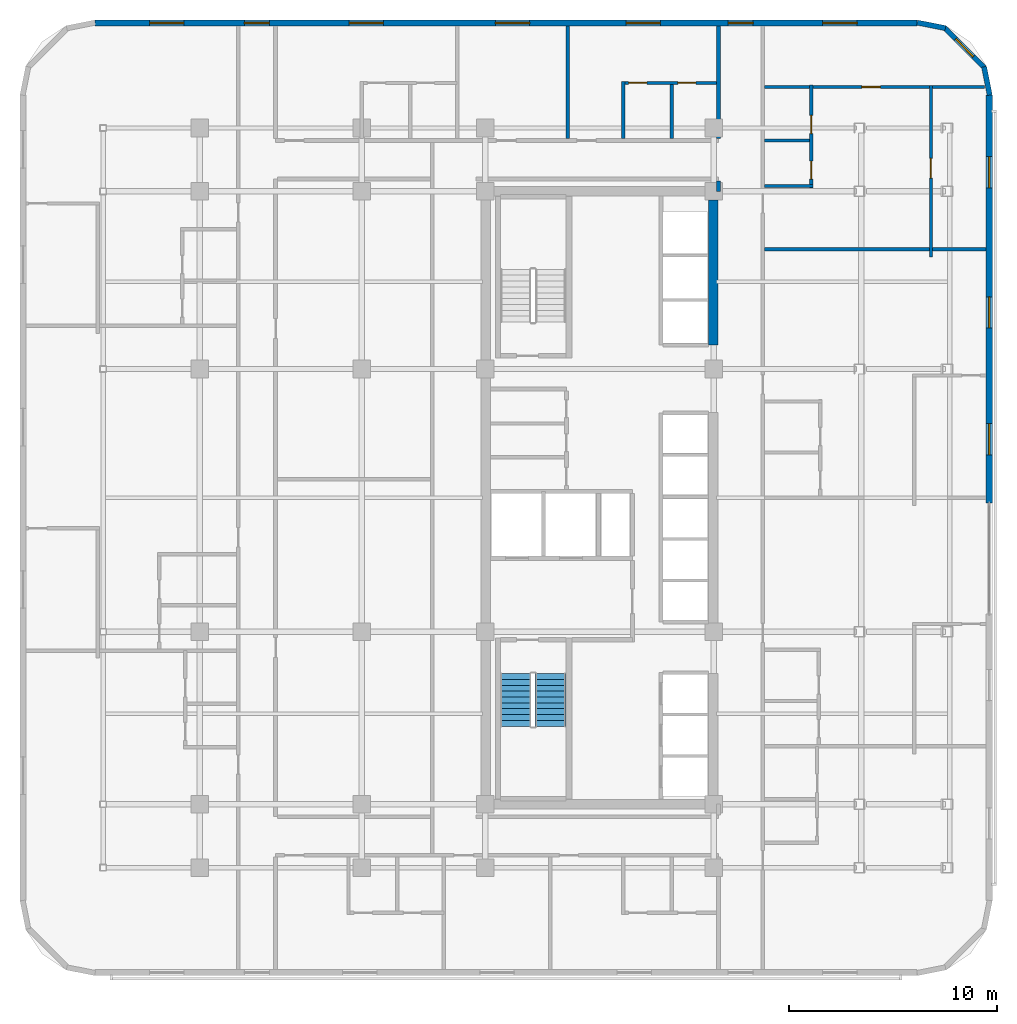
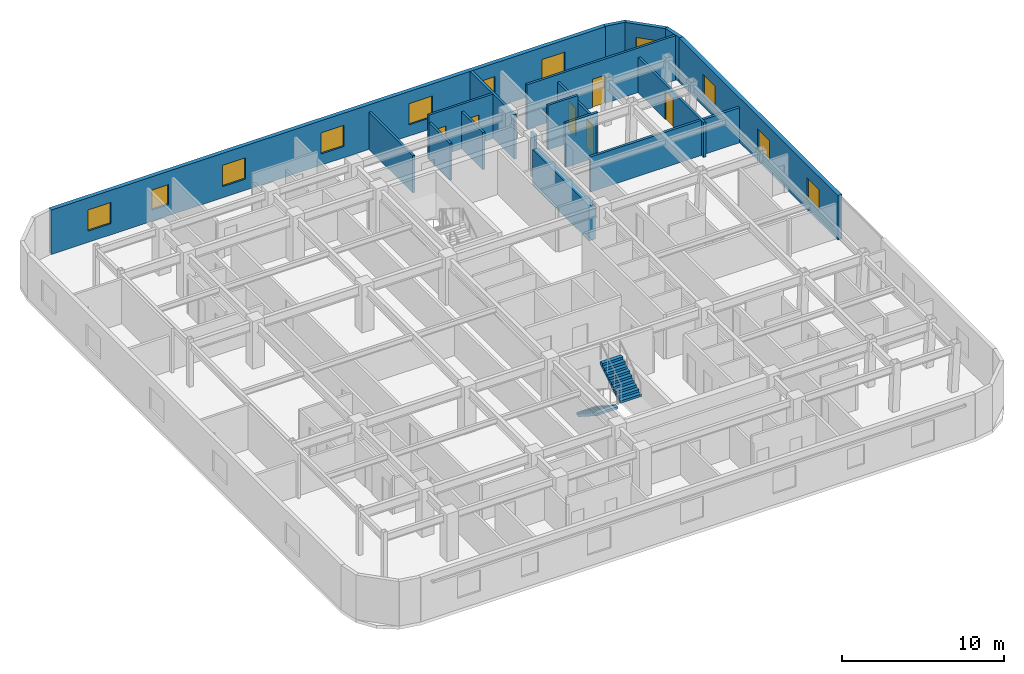
# One storey, part 11 of 15: 18 walls, 11 windows, 6 doors, 2 stair flights, 17 openings, 1 element without a shape of its own.
"""IFC4 building model written with IfcOpenShell, lengths in metres."""

from ifc_helpers import new_model, si_unit, direction, frame, frame_2d, origin, place, context, subcontext, project, spatial, polyline, rectangle, outline, extrude, material, layer, layer_set, type_object, element, fill, aggregate, save


model = new_model("IFC4")

# Units and contexts
model_context = context("Model", 3, precision=1e-05, world=origin(), true_north=direction((0.0, 1.0)))
body_context = subcontext(model_context, "Body", "Model", "MODEL_VIEW")
ifc_project = project(units=[si_unit("LENGTHUNIT", "METRE"), si_unit("AREAUNIT", "SQUARE_METRE"), si_unit("VOLUMEUNIT", "CUBIC_METRE"), si_unit("PLANEANGLEUNIT", "RADIAN"), si_unit("MASSUNIT", "GRAM", prefix="KILO")], contexts=[model_context])

# Site, building, storey
site_placement = place(None, origin())
site = spatial("IfcSite", under=ifc_project, at=site_placement, CompositionType="ELEMENT")
building_placement = place(site_placement, origin())
building = spatial("IfcBuilding", under=site, at=building_placement, Name="Ochreholt Gables", CompositionType="ELEMENT")
storey_placement = place(building_placement, frame((0.0, 0.0, 64.199951171875)))
storey = spatial("IfcBuildingStorey", under=building, at=storey_placement, Name="L16", CompositionType="ELEMENT", Elevation=64.199951171875)

# Wall
ifc_material_1 = material(Name="Concrete 60 MPa", Category="concrete")
ifc_layer_1 = layer(ifc_material_1, 0.449951171875, Name="Concrete 60 MPa")
ifc_layer_set_1 = layer_set([ifc_layer_1], Name="Concrete 60 MPa")
wall_type_1 = type_object("IfcWallType", Name="WALL-CSW-450", PredefinedType="SHEAR", material=ifc_layer_set_1)
wall_1_placement = place(storey_placement, frame((35.175048828125, 31.35009765625, 0.0), z_axis=(0.0, 0.0, 1.0), x_axis=(0.0, 1.0, 0.0)))
element("IfcWall", 1, at=wall_1_placement, inside=storey, type_object=wall_type_1, Name="L16 Core North-East Shear Wall", PredefinedType="SHEAR", context=body_context, shape_type="SweptSolid", body=[
    extrude(rectangle(XDim=6.974853515625, YDim=0.449951171875, at=frame_2d((3.4873046875, 0.0))), origin(), (0.0, 0.0, 1.0), 2.6669921875),
])

# Wall, openings, windows
ifc_material_2 = material(Name="Precast concrete 40 MPa", Category="concrete")
ifc_layer_2 = layer(ifc_material_2, 0.2900390625, Name="Precast concrete 40 MPa")
ifc_layer_set_2 = layer_set([ifc_layer_2], Name="Precast concrete 40 MPa")
wall_type_2 = type_object("IfcWallType", Name="WALL-EXT-290", PredefinedType="SOLIDWALL", material=ifc_layer_set_2)
wall_2_placement = place(storey_placement, frame((48.455078125, 23.75, 0.0), z_axis=(0.0, 0.0, 1.0), x_axis=(0.0, 1.0, 0.0)))
wall_2 = element("IfcWall", 2, at=wall_2_placement, inside=storey, type_object=wall_type_2, Name="L16 East Facade Wall 2", PredefinedType="SOLIDWALL", context=body_context, shape_type="SweptSolid", body=[
    extrude(rectangle(XDim=19.6298828125, YDim=0.2900390625, at=frame_2d((9.81494140625, 0.0))), origin(), (0.0, 0.0, 1.0), 3.360107421875),
])
opening_1_placement = place(wall_2_placement, frame((2.320068359375, 0.0, 0.85009765625)))
opening_1 = element("IfcOpeningElement", 3, at=opening_1_placement, cuts=wall_2, Name="Opening WN-2", PredefinedType="OPENING", context=body_context, shape_type="SweptSolid", body=[
    extrude(rectangle(XDim=1.5, YDim=1.550048828125, at=frame_2d((0.75, 0.77490234375))), frame((0.0, 0.155029296875, 0.0), z_axis=(0.0, -1.0, 0.0), x_axis=(1.0, 0.0, 0.0)), (0.0, 0.0, 1.0), 0.31005859375),
])
opening_2_placement = place(wall_2_placement, frame((8.425048828125, 0.0, 0.85009765625)))
opening_2 = element("IfcOpeningElement", 4, at=opening_2_placement, cuts=wall_2, Name="Opening WN-2", PredefinedType="OPENING", context=body_context, shape_type="SweptSolid", body=[
    extrude(rectangle(XDim=1.5, YDim=1.550048828125, at=frame_2d((0.75, 0.77490234375))), frame((0.0, 0.155029296875, 0.0), z_axis=(0.0, -1.0, 0.0), x_axis=(1.0, 0.0, 0.0)), (0.0, 0.0, 1.0), 0.31005859375),
])
opening_3_placement = place(wall_2_placement, frame((15.169921875, 0.0, 0.85009765625)))
opening_3 = element("IfcOpeningElement", 5, at=opening_3_placement, cuts=wall_2, Name="Opening WN-2", PredefinedType="OPENING", context=body_context, shape_type="SweptSolid", body=[
    extrude(rectangle(XDim=1.5, YDim=1.550048828125, at=frame_2d((0.75, 0.77490234375))), frame((0.0, 0.155029296875, 0.0), z_axis=(0.0, -1.0, 0.0), x_axis=(1.0, 0.0, 0.0)), (0.0, 0.0, 1.0), 0.31005859375),
])
ifc_material_3 = material(Name="Triple-Glazed Thermally Broken Aluminium Window", Category="aluminium")
window_type_1 = type_object("IfcWindowType", Name="WIN-RES-1500", PartitioningType="SINGLE_PANEL", PredefinedType="WINDOW", material=ifc_material_3)
window_1_placement = place(opening_1_placement, origin())
window_1 = element("IfcWindow", 6, at=window_1_placement, inside=storey, type_object=window_type_1, Name="L16 Window W-EXT-E2-L16-1", OverallHeight=1.550048828125, OverallWidth=1.5, PartitioningType="SINGLE_PANEL", PredefinedType="WINDOW", context=body_context, shape_type="SweptSolid", body=[
    extrude(rectangle(XDim=1.5, YDim=1.550048828125, at=frame_2d((0.75, 0.77490234375))), frame((0.0, 0.030029296875, 0.0), z_axis=(0.0, -1.0, 0.0), x_axis=(1.0, 0.0, 0.0)), (0.0, 0.0, 1.0), 0.06005859375),
])
fill(opening_1, window_1)
window_2_placement = place(opening_2_placement, origin())
window_2 = element("IfcWindow", 7, at=window_2_placement, inside=storey, type_object=window_type_1, Name="L16 Window W-EXT-E2-L16-2", OverallHeight=1.550048828125, OverallWidth=1.5, PartitioningType="SINGLE_PANEL", PredefinedType="WINDOW", context=body_context, shape_type="SweptSolid", body=[
    extrude(rectangle(XDim=1.5, YDim=1.550048828125, at=frame_2d((0.75, 0.77490234375))), frame((0.0, 0.030029296875, 0.0), z_axis=(0.0, -1.0, 0.0), x_axis=(1.0, 0.0, 0.0)), (0.0, 0.0, 1.0), 0.06005859375),
])
fill(opening_2, window_2)
window_3_placement = place(opening_3_placement, origin())
window_3 = element("IfcWindow", 8, at=window_3_placement, inside=storey, type_object=window_type_1, Name="L16 Window W-EXT-E2-L16-3", OverallHeight=1.550048828125, OverallWidth=1.5, PartitioningType="SINGLE_PANEL", PredefinedType="WINDOW", context=body_context, shape_type="SweptSolid", body=[
    extrude(rectangle(XDim=1.5, YDim=1.550048828125, at=frame_2d((0.75, 0.77490234375))), frame((0.0, 0.030029296875, 0.0), z_axis=(0.0, -1.0, 0.0), x_axis=(1.0, 0.0, 0.0)), (0.0, 0.0, 1.0), 0.06005859375),
])
fill(opening_3, window_3)

wall_3_placement = place(storey_placement, frame((44.97998046875, 46.85498046875, 0.0), z_axis=(0.0, 0.0, 1.0), x_axis=(-1.0, 0.0, 0.0)))
wall_3 = element("IfcWall", 9, at=wall_3_placement, inside=storey, type_object=wall_type_2, Name="L16 North Exterior Wall", PredefinedType="SOLIDWALL", context=body_context, shape_type="SweptSolid", body=[
    extrude(rectangle(XDim=39.56005859375, YDim=0.2900390625, at=frame_2d((19.780029296875, 0.0))), origin(), (0.0, 0.0, 1.0), 3.360107421875),
])
opening_4_placement = place(wall_3_placement, frame((35.294921875, 0.0, 0.85009765625)))
opening_4 = element("IfcOpeningElement", 10, at=opening_4_placement, cuts=wall_3, Name="Opening WN-7", PredefinedType="OPENING", context=body_context, shape_type="SweptSolid", body=[
    extrude(rectangle(XDim=1.64990234375, YDim=1.60009765625, at=frame_2d((0.824951171875, 0.800048828125))), frame((0.0, 0.155029296875, 0.0), z_axis=(0.0, -1.0, 0.0), x_axis=(1.0, 0.0, 0.0)), (0.0, 0.0, 1.0), 0.31005859375),
])
opening_5_placement = place(wall_3_placement, frame((31.179931640625, 0.0, 0.85009765625)))
opening_5 = element("IfcOpeningElement", 11, at=opening_5_placement, cuts=wall_3, Name="Opening WN-3", PredefinedType="OPENING", context=body_context, shape_type="SweptSolid", body=[
    extrude(rectangle(XDim=1.199951171875, YDim=1.5, at=frame_2d((0.60009765625, 0.75))), frame((0.0, 0.155029296875, 0.0), z_axis=(0.0, -1.0, 0.0), x_axis=(1.0, 0.0, 0.0)), (0.0, 0.0, 1.0), 0.31005859375),
])
opening_6_placement = place(wall_3_placement, frame((25.684326171875, 0.0, 0.85009765625)))
opening_6 = element("IfcOpeningElement", 12, at=opening_6_placement, cuts=wall_3, Name="Opening WN-7", PredefinedType="OPENING", context=body_context, shape_type="SweptSolid", body=[
    extrude(rectangle(XDim=1.64990234375, YDim=1.60009765625, at=frame_2d((0.824951171875, 0.800048828125))), frame((0.0, 0.155029296875, 0.0), z_axis=(0.0, -1.0, 0.0), x_axis=(1.0, 0.0, 0.0)), (0.0, 0.0, 1.0), 0.31005859375),
])
opening_7_placement = place(wall_3_placement, frame((18.648681640625, 0.0, 0.85009765625)))
opening_7 = element("IfcOpeningElement", 13, at=opening_7_placement, cuts=wall_3, Name="Opening WN-7", PredefinedType="OPENING", context=body_context, shape_type="SweptSolid", body=[
    extrude(rectangle(XDim=1.64990234375, YDim=1.60009765625, at=frame_2d((0.824951171875, 0.800048828125))), frame((0.0, 0.155029296875, 0.0), z_axis=(0.0, -1.0, 0.0), x_axis=(1.0, 0.0, 0.0)), (0.0, 0.0, 1.0), 0.31005859375),
])
opening_8_placement = place(wall_3_placement, frame((12.359375, 0.0, 0.85009765625)))
opening_8 = element("IfcOpeningElement", 14, at=opening_8_placement, cuts=wall_3, Name="Opening WN-7", PredefinedType="OPENING", context=body_context, shape_type="SweptSolid", body=[
    extrude(rectangle(XDim=1.64990234375, YDim=1.60009765625, at=frame_2d((0.824951171875, 0.800048828125))), frame((0.0, 0.155029296875, 0.0), z_axis=(0.0, -1.0, 0.0), x_axis=(1.0, 0.0, 0.0)), (0.0, 0.0, 1.0), 0.31005859375),
])
opening_9_placement = place(wall_3_placement, frame((7.89501953125, 0.0, 0.85009765625)))
opening_9 = element("IfcOpeningElement", 15, at=opening_9_placement, cuts=wall_3, Name="Opening WN-3", PredefinedType="OPENING", context=body_context, shape_type="SweptSolid", body=[
    extrude(rectangle(XDim=1.199951171875, YDim=1.5, at=frame_2d((0.60009765625, 0.75))), frame((0.0, 0.155029296875, 0.0), z_axis=(0.0, -1.0, 0.0), x_axis=(1.0, 0.0, 0.0)), (0.0, 0.0, 1.0), 0.31005859375),
])
opening_10_placement = place(wall_3_placement, frame((2.889892578125, 0.0, 0.85009765625)))
opening_10 = element("IfcOpeningElement", 16, at=opening_10_placement, cuts=wall_3, Name="Opening WN-7", PredefinedType="OPENING", context=body_context, shape_type="SweptSolid", body=[
    extrude(rectangle(XDim=1.64990234375, YDim=1.60009765625, at=frame_2d((0.824951171875, 0.800048828125))), frame((0.0, 0.155029296875, 0.0), z_axis=(0.0, -1.0, 0.0), x_axis=(1.0, 0.0, 0.0)), (0.0, 0.0, 1.0), 0.31005859375),
])
window_type_2 = type_object("IfcWindowType", Name="WIN-RES-1200", PartitioningType="SINGLE_PANEL", PredefinedType="WINDOW", material=ifc_material_3)
window_4_placement = place(opening_5_placement, origin())
window_4 = element("IfcWindow", 17, at=window_4_placement, inside=storey, type_object=window_type_2, Name="L16 Window W-EXT-N-L16-2", OverallHeight=1.5, OverallWidth=1.199951171875, PartitioningType="SINGLE_PANEL", PredefinedType="WINDOW", context=body_context, shape_type="SweptSolid", body=[
    extrude(rectangle(XDim=1.199951171875, YDim=1.5, at=frame_2d((0.60009765625, 0.75))), frame((0.0, 0.030029296875, 0.0), z_axis=(0.0, -1.0, 0.0), x_axis=(1.0, 0.0, 0.0)), (0.0, 0.0, 1.0), 0.06005859375),
])
fill(opening_5, window_4)
window_5_placement = place(opening_9_placement, origin())
window_5 = element("IfcWindow", 18, at=window_5_placement, inside=storey, type_object=window_type_2, Name="L16 Window W-EXT-N-L16-6", OverallHeight=1.5, OverallWidth=1.199951171875, PartitioningType="SINGLE_PANEL", PredefinedType="WINDOW", context=body_context, shape_type="SweptSolid", body=[
    extrude(rectangle(XDim=1.199951171875, YDim=1.5, at=frame_2d((0.60009765625, 0.75))), frame((0.0, 0.030029296875, 0.0), z_axis=(0.0, -1.0, 0.0), x_axis=(1.0, 0.0, 0.0)), (0.0, 0.0, 1.0), 0.06005859375),
])
fill(opening_9, window_5)
window_type_3 = type_object("IfcWindowType", Name="WIN-RES-1650", PartitioningType="SINGLE_PANEL", PredefinedType="WINDOW", material=ifc_material_3)
window_6_placement = place(opening_4_placement, origin())
window_6 = element("IfcWindow", 19, at=window_6_placement, inside=storey, type_object=window_type_3, Name="L16 Window W-EXT-N-L16-1", OverallHeight=1.60009765625, OverallWidth=1.64990234375, PartitioningType="SINGLE_PANEL", PredefinedType="WINDOW", context=body_context, shape_type="SweptSolid", body=[
    extrude(rectangle(XDim=1.64990234375, YDim=1.60009765625, at=frame_2d((0.824951171875, 0.800048828125))), frame((0.0, 0.030029296875, 0.0), z_axis=(0.0, -1.0, 0.0), x_axis=(1.0, 0.0, 0.0)), (0.0, 0.0, 1.0), 0.06005859375),
])
fill(opening_4, window_6)
window_7_placement = place(opening_6_placement, origin())
window_7 = element("IfcWindow", 20, at=window_7_placement, inside=storey, type_object=window_type_3, Name="L16 Window W-EXT-N-L16-3", OverallHeight=1.60009765625, OverallWidth=1.64990234375, PartitioningType="SINGLE_PANEL", PredefinedType="WINDOW", context=body_context, shape_type="SweptSolid", body=[
    extrude(rectangle(XDim=1.64990234375, YDim=1.60009765625, at=frame_2d((0.824951171875, 0.800048828125))), frame((0.0, 0.030029296875, 0.0), z_axis=(0.0, -1.0, 0.0), x_axis=(1.0, 0.0, 0.0)), (0.0, 0.0, 1.0), 0.06005859375),
])
fill(opening_6, window_7)
window_8_placement = place(opening_7_placement, origin())
window_8 = element("IfcWindow", 21, at=window_8_placement, inside=storey, type_object=window_type_3, Name="L16 Window W-EXT-N-L16-4", OverallHeight=1.60009765625, OverallWidth=1.64990234375, PartitioningType="SINGLE_PANEL", PredefinedType="WINDOW", context=body_context, shape_type="SweptSolid", body=[
    extrude(rectangle(XDim=1.64990234375, YDim=1.60009765625, at=frame_2d((0.824951171875, 0.800048828125))), frame((0.0, 0.030029296875, 0.0), z_axis=(0.0, -1.0, 0.0), x_axis=(1.0, 0.0, 0.0)), (0.0, 0.0, 1.0), 0.06005859375),
])
fill(opening_7, window_8)
window_9_placement = place(opening_8_placement, origin())
window_9 = element("IfcWindow", 22, at=window_9_placement, inside=storey, type_object=window_type_3, Name="L16 Window W-EXT-N-L16-5", OverallHeight=1.60009765625, OverallWidth=1.64990234375, PartitioningType="SINGLE_PANEL", PredefinedType="WINDOW", context=body_context, shape_type="SweptSolid", body=[
    extrude(rectangle(XDim=1.64990234375, YDim=1.60009765625, at=frame_2d((0.824951171875, 0.800048828125))), frame((0.0, 0.030029296875, 0.0), z_axis=(0.0, -1.0, 0.0), x_axis=(1.0, 0.0, 0.0)), (0.0, 0.0, 1.0), 0.06005859375),
])
fill(opening_8, window_9)
window_10_placement = place(opening_10_placement, origin())
window_10 = element("IfcWindow", 23, at=window_10_placement, inside=storey, type_object=window_type_3, Name="L16 Window W-EXT-N-L16-7", OverallHeight=1.60009765625, OverallWidth=1.64990234375, PartitioningType="SINGLE_PANEL", PredefinedType="WINDOW", context=body_context, shape_type="SweptSolid", body=[
    extrude(rectangle(XDim=1.64990234375, YDim=1.60009765625, at=frame_2d((0.824951171875, 0.800048828125))), frame((0.0, 0.030029296875, 0.0), z_axis=(0.0, -1.0, 0.0), x_axis=(1.0, 0.0, 0.0)), (0.0, 0.0, 1.0), 0.06005859375),
])
fill(opening_10, window_10)

# Wall
ifc_layer_3 = layer(ifc_material_2, 0.25, Name="Precast concrete 40 MPa")
ifc_layer_set_3 = layer_set([ifc_layer_3], Name="Precast concrete 40 MPa")
wall_type_3 = type_object("IfcWallType", Name="WALL-EXT-CNR", PredefinedType="SOLIDWALL", material=ifc_layer_set_3)
wall_4_placement = place(storey_placement, frame((48.475830078125, 43.383544921875, 0.0), z_axis=(0.0, 0.0, 1.0), x_axis=(-0.19496651342, 0.980809899341, 0.0)))
element("IfcWall", 24, at=wall_4_placement, inside=storey, type_object=wall_type_3, Name="L16 Rounded Corner Wall NE-1", PredefinedType="SOLIDWALL", context=body_context, shape_type="SweptSolid", body=[
    extrude(rectangle(XDim=1.388671875, YDim=0.25, at=frame_2d((0.6943359375, 0.0))), origin(), (0.0, 0.0, 1.0), 3.360107421875),
])

# Wall, opening, window
wall_5_placement = place(storey_placement, frame((48.23193359375, 44.695068359375, 0.0), z_axis=(0.0, 0.0, 1.0), x_axis=(-0.707106781187, 0.707106781187, 0.0)))
wall_5 = element("IfcWall", 25, at=wall_5_placement, inside=storey, type_object=wall_type_3, Name="L16 Rounded Corner Wall NE-2", PredefinedType="SOLIDWALL", context=body_context, shape_type="SweptSolid", body=[
    extrude(rectangle(XDim=2.7392578125, YDim=0.25, at=frame_2d((1.36962890625, 0.0))), origin(), (0.0, 0.0, 1.0), 3.360107421875),
])
opening_11_placement = place(wall_5_placement, frame((0.769775390625, 0.0, 0.85009765625)))
opening_11 = element("IfcOpeningElement", 26, at=opening_11_placement, cuts=wall_5, Name="Opening WN-3", PredefinedType="OPENING", context=body_context, shape_type="SweptSolid", body=[
    extrude(rectangle(XDim=1.199951171875, YDim=1.5, at=frame_2d((0.60009765625, 0.75))), frame((0.0, 0.135009765625, 0.0), z_axis=(0.0, -1.0, 0.0), x_axis=(1.0, 0.0, 0.0)), (0.0, 0.0, 1.0), 0.27001953125),
])
window_11_placement = place(opening_11_placement, origin())
window_11 = element("IfcWindow", 27, at=window_11_placement, inside=storey, type_object=window_type_2, Name="L16 Corner Bedroom Window NE", OverallHeight=1.5, OverallWidth=1.199951171875, PartitioningType="SINGLE_PANEL", PredefinedType="WINDOW", context=body_context, shape_type="SweptSolid", body=[
    extrude(rectangle(XDim=1.199951171875, YDim=1.5, at=frame_2d((0.60009765625, 0.75))), frame((0.0, 0.030029296875, 0.0), z_axis=(0.0, -1.0, 0.0), x_axis=(1.0, 0.0, 0.0)), (0.0, 0.0, 1.0), 0.06005859375),
])
fill(opening_11, window_11)

# Walls
wall_6_placement = place(storey_placement, frame((46.345458984375, 46.60498046875, 0.0), z_axis=(0.0, 0.0, 1.0), x_axis=(-0.980809899341, 0.19496651342, 0.0)))
element("IfcWall", 28, at=wall_6_placement, inside=storey, type_object=wall_type_3, Name="L16 Rounded Corner Wall NE-3", PredefinedType="SOLIDWALL", context=body_context, shape_type="SweptSolid", body=[
    extrude(rectangle(XDim=1.388671875, YDim=0.25, at=frame_2d((0.6943359375, 0.0))), origin(), (0.0, 0.0, 1.0), 3.360107421875),
])
ifc_material_4 = material(Name="Fire-Rated Gypsum Acoustic Partition", Category="gypsum")
ifc_layer_4 = layer(ifc_material_4, 0.179931640625, Name="Fire-Rated Gypsum Acoustic Partition")
ifc_layer_set_4 = layer_set([ifc_layer_4], Name="Fire-Rated Gypsum Acoustic Partition")
wall_type_4 = type_object("IfcWallType", Name="WALL-INT-CR180", PredefinedType="STANDARD", material=ifc_layer_set_4)
wall_7_placement = place(storey_placement, frame((35.419921875, 38.75, 0.0), z_axis=(0.0, 0.0, 1.0), x_axis=(0.0, 1.0, 0.0)))
element("IfcWall", 29, at=wall_7_placement, inside=storey, type_object=wall_type_4, Name="L16 Interior Wall WI-C1ENW2-L16", PredefinedType="STANDARD", context=body_context, shape_type="SweptSolid", body=[
    extrude(rectangle(XDim=0.510009765625, YDim=0.179931640625, at=frame_2d((0.2548828125, 0.0))), origin(), (0.0, 0.0, 1.0), 3.360107421875),
])
ifc_material_5 = material(Name="Double-Stud Acoustic Demising Wall", Category="gypsum")
ifc_layer_5 = layer(ifc_material_5, 0.179931640625, Name="Double-Stud Acoustic Demising Wall")
ifc_layer_set_5 = layer_set([ifc_layer_5], Name="Double-Stud Acoustic Demising Wall")
wall_type_5 = type_object("IfcWallType", Name="WALL-INT-DM180", PredefinedType="PARTITIONING", material=ifc_layer_set_5)
wall_8_placement = place(storey_placement, frame((35.419921875, 41.2900390625, 0.0), z_axis=(0.0, 0.0, 1.0), x_axis=(0.0, 1.0, 0.0)))
element("IfcWall", 30, at=wall_8_placement, inside=storey, type_object=wall_type_5, Name="L16 Interior Wall WI-C1ENW-L16", PredefinedType="PARTITIONING", context=body_context, shape_type="SweptSolid", body=[
    extrude(rectangle(XDim=5.419921875, YDim=0.179931640625, at=frame_2d((2.7099609375, 0.0))), origin(), (0.0, 0.0, 1.0), 3.360107421875),
])
wall_9_placement = place(storey_placement, frame((37.639892578125, 35.9599609375, 0.0), z_axis=(0.0, 0.0, 1.0), x_axis=(1.0, 0.0, 0.0)))
element("IfcWall", 31, at=wall_9_placement, inside=storey, type_object=wall_type_5, Name="L16 Interior Wall WI-UDE4-L16", PredefinedType="PARTITIONING", context=body_context, shape_type="SweptSolid", body=[
    extrude(rectangle(XDim=10.670166015625, YDim=0.179931640625, at=frame_2d((5.3349609375, 0.0))), origin(), (0.0, 0.0, 1.0), 2.649169921875),
])
ifc_material_6 = material(Name="Moisture-Resistant Plumbing Chase Wall", Category="gypsum")
ifc_layer_6 = layer(ifc_material_6, 0.159912109375, Name="Moisture-Resistant Plumbing Chase Wall")
ifc_layer_set_6 = layer_set([ifc_layer_6], Name="Moisture-Resistant Plumbing Chase Wall")
wall_type_6 = type_object("IfcWallType", Name="WALL-INT-PL160", PredefinedType="PLUMBINGWALL", material=ifc_layer_set_6)
wall_10_placement = place(storey_placement, frame((37.639892578125, 39.01171875, 0.0), z_axis=(0.0, 0.0, 1.0), x_axis=(1.0, 0.0, 0.0)))
element("IfcWall", 32, at=wall_10_placement, inside=storey, type_object=wall_type_6, Name="L16 Interior Wall WU-L16E4-FYS", PredefinedType="PLUMBINGWALL", context=body_context, shape_type="SweptSolid", body=[
    extrude(rectangle(XDim=2.330078125, YDim=0.159912109375, at=frame_2d((1.1650390625, 0.0))), origin(), (0.0, 0.0, 1.0), 3.360107421875),
])

# Wall, openings, doors
wall_11_placement = place(storey_placement, frame((39.889892578125, 38.921630859375, 0.0), z_axis=(0.0, 0.0, 1.0), x_axis=(0.0, 1.0, 0.0)))
wall_11 = element("IfcWall", 33, at=wall_11_placement, inside=storey, type_object=wall_type_6, Name="L16 Interior Wall WU-L16E4-WX", PredefinedType="PLUMBINGWALL", context=body_context, shape_type="SweptSolid", body=[
    extrude(rectangle(XDim=4.944091796875, YDim=0.159912109375, at=frame_2d((2.47216796875, 0.0))), origin(), (0.0, 0.0, 1.0), 2.80908203125),
])
opening_12_placement = place(wall_11_placement, frame((0.419921875, 0.0, 0.0)))
opening_12 = element("IfcOpeningElement", 34, at=opening_12_placement, cuts=wall_11, Name="Opening D-BT1", PredefinedType="OPENING", context=body_context, shape_type="SweptSolid", body=[
    extrude(rectangle(XDim=0.860107421875, YDim=2.1201171875, at=frame_2d((0.43017578125, 1.06005859375))), frame((0.0, 0.08984375, 0.0), z_axis=(0.0, -1.0, 0.0), x_axis=(1.0, 0.0, 0.0)), (0.0, 0.0, 1.0), 0.179931640625),
])
opening_13_placement = place(wall_11_placement, frame((2.611328125, 0.0, 0.0)))
opening_13 = element("IfcOpeningElement", 35, at=opening_13_placement, cuts=wall_11, Name="Opening D-GN2", PredefinedType="OPENING", context=body_context, shape_type="SweptSolid", body=[
    extrude(rectangle(XDim=0.8798828125, YDim=2.1201171875, at=frame_2d((0.43994140625, 1.06005859375))), frame((0.0, 0.08984375, 0.0), z_axis=(0.0, -1.0, 0.0), x_axis=(1.0, 0.0, 0.0)), (0.0, 0.0, 1.0), 0.179931640625),
])
ifc_material_7 = material(Name="Engineered Oak Timber", Category="wood")
door_type_1 = type_object("IfcDoorType", Name="DR-INT-BTH860", OperationType="NOTDEFINED", PredefinedType="DOOR", material=ifc_material_7)
door_1_placement = place(opening_12_placement, origin())
door_1 = element("IfcDoor", 36, at=door_1_placement, inside=storey, type_object=door_type_1, Name="L16 Door D-U-L16E4-BTH", OperationType="SINGLE_SWING_RIGHT", OverallHeight=2.1201171875, OverallWidth=0.860107421875, PredefinedType="DOOR", context=body_context, shape_type="SweptSolid", body=[
    extrude(rectangle(XDim=0.860107421875, YDim=2.1201171875, at=frame_2d((0.43017578125, 1.06005859375))), frame((0.0, 0.02490234375, 0.0), z_axis=(0.0, -1.0, 0.0), x_axis=(1.0, 0.0, 0.0)), (0.0, 0.0, 1.0), 0.050048828125),
])
fill(opening_12, door_1)
door_type_2 = type_object("IfcDoorType", Name="DR-INT-GEN880", OperationType="NOTDEFINED", PredefinedType="DOOR", material=ifc_material_7)
door_2_placement = place(opening_13_placement, origin())
door_2 = element("IfcDoor", 37, at=door_2_placement, inside=storey, type_object=door_type_2, Name="L16 Door D-U-L16E4-KIT", OperationType="SINGLE_SWING_LEFT", OverallHeight=2.1201171875, OverallWidth=0.8798828125, PredefinedType="DOOR", context=body_context, shape_type="SweptSolid", body=[
    extrude(rectangle(XDim=0.8798828125, YDim=2.1201171875, at=frame_2d((0.43994140625, 1.06005859375))), frame((0.0, 0.02490234375, 0.0), z_axis=(0.0, -1.0, 0.0), x_axis=(1.0, 0.0, 0.0)), (0.0, 0.0, 1.0), 0.050048828125),
])
fill(opening_13, door_2)

# Wall
wall_12_placement = place(storey_placement, frame((37.639892578125, 41.203125, 0.0), z_axis=(0.0, 0.0, 1.0), x_axis=(1.0, 0.0, 0.0)))
element("IfcWall", 38, at=wall_12_placement, inside=storey, type_object=wall_type_6, Name="L16 Interior Wall WU-L16E4-WK", PredefinedType="PLUMBINGWALL", context=body_context, shape_type="SweptSolid", body=[
    extrude(rectangle(XDim=2.170166015625, YDim=0.159912109375, at=frame_2d((1.0849609375, 0.0))), origin(), (0.0, 0.0, 1.0), 3.360107421875),
])

# Wall, openings, doors
wall_13_placement = place(storey_placement, frame((30.75, 43.969970703125, 0.0), z_axis=(0.0, 0.0, 1.0), x_axis=(1.0, 0.0, 0.0)))
wall_13 = element("IfcWall", 39, at=wall_13_placement, inside=storey, type_object=wall_type_6, Name="L16 Interior Wall WU-L16N3-WY", PredefinedType="PLUMBINGWALL", context=body_context, shape_type="SweptSolid", body=[
    extrude(rectangle(XDim=4.580078125, YDim=0.159912109375, at=frame_2d((2.2900390625, 0.0))), origin(), (0.0, 0.0, 1.0), 3.360107421875),
])
opening_14_placement = place(wall_13_placement, frame((0.35009765625, 0.0, 0.0)))
opening_14 = element("IfcOpeningElement", 40, at=opening_14_placement, cuts=wall_13, Name="Opening D-GN2", PredefinedType="OPENING", context=body_context, shape_type="SweptSolid", body=[
    extrude(rectangle(XDim=0.8798828125, YDim=2.1201171875, at=frame_2d((0.43994140625, 1.06005859375))), frame((0.0, 0.08984375, 0.0), z_axis=(0.0, -1.0, 0.0), x_axis=(1.0, 0.0, 0.0)), (0.0, 0.0, 1.0), 0.179931640625),
])
opening_15_placement = place(wall_13_placement, frame((2.719970703125, 0.0, 0.0)))
opening_15 = element("IfcOpeningElement", 41, at=opening_15_placement, cuts=wall_13, Name="Opening D-BT1", PredefinedType="OPENING", context=body_context, shape_type="SweptSolid", body=[
    extrude(rectangle(XDim=0.860107421875, YDim=2.1201171875, at=frame_2d((0.43017578125, 1.06005859375))), frame((0.0, 0.08984375, 0.0), z_axis=(0.0, -1.0, 0.0), x_axis=(1.0, 0.0, 0.0)), (0.0, 0.0, 1.0), 0.179931640625),
])
door_3_placement = place(opening_15_placement, origin())
door_3 = element("IfcDoor", 42, at=door_3_placement, inside=storey, type_object=door_type_1, Name="L16 Door D-U-L16N3-BTH", OperationType="SINGLE_SWING_RIGHT", OverallHeight=2.1201171875, OverallWidth=0.860107421875, PredefinedType="DOOR", context=body_context, shape_type="SweptSolid", body=[
    extrude(rectangle(XDim=0.860107421875, YDim=2.1201171875, at=frame_2d((0.43017578125, 1.06005859375))), frame((0.0, 0.02490234375, 0.0), z_axis=(0.0, -1.0, 0.0), x_axis=(1.0, 0.0, 0.0)), (0.0, 0.0, 1.0), 0.050048828125),
])
fill(opening_15, door_3)
door_4_placement = place(opening_14_placement, origin())
door_4 = element("IfcDoor", 43, at=door_4_placement, inside=storey, type_object=door_type_2, Name="L16 Door D-U-L16N3-KIT", OperationType="SINGLE_SWING_LEFT", OverallHeight=2.1201171875, OverallWidth=0.8798828125, PredefinedType="DOOR", context=body_context, shape_type="SweptSolid", body=[
    extrude(rectangle(XDim=0.8798828125, YDim=2.1201171875, at=frame_2d((0.43994140625, 1.06005859375))), frame((0.0, 0.02490234375, 0.0), z_axis=(0.0, -1.0, 0.0), x_axis=(1.0, 0.0, 0.0)), (0.0, 0.0, 1.0), 0.050048828125),
])
fill(opening_14, door_4)

# Walls
wall_14_placement = place(storey_placement, frame((30.830078125, 41.2900390625, 0.0), z_axis=(0.0, 0.0, 1.0), x_axis=(0.0, 1.0, 0.0)))
element("IfcWall", 44, at=wall_14_placement, inside=storey, type_object=wall_type_6, Name="L16 Interior Wall WU-L16N3-FY", PredefinedType="PLUMBINGWALL", context=body_context, shape_type="SweptSolid", body=[
    extrude(rectangle(XDim=2.760009765625, YDim=0.159912109375, at=frame_2d((1.3798828125, 0.0))), origin(), (0.0, 0.0, 1.0), 2.80908203125),
])
wall_15_placement = place(storey_placement, frame((33.169921875, 41.2900390625, 0.0), z_axis=(0.0, 0.0, 1.0), x_axis=(0.0, 1.0, 0.0)))
element("IfcWall", 45, at=wall_15_placement, inside=storey, type_object=wall_type_6, Name="L16 Interior Wall WU-L16N3-WK", PredefinedType="PLUMBINGWALL", context=body_context, shape_type="SweptSolid", body=[
    extrude(rectangle(XDim=2.599853515625, YDim=0.159912109375, at=frame_2d((1.2998046875, 0.0))), origin(), (0.0, 0.0, 1.0), 2.80908203125),
])

# Wall, opening, door
ifc_material_8 = material(Name="Gypsum Acoustic Stud Partition", Category="gypsum")
ifc_layer_7 = layer(ifc_material_8, 0.159912109375, Name="Gypsum Acoustic Stud Partition")
ifc_layer_set_7 = layer_set([ifc_layer_7], Name="Gypsum Acoustic Stud Partition")
wall_type_7 = type_object("IfcWallType", Name="WALL-INT-PT160", PredefinedType="PARTITIONING", material=ifc_layer_set_7)
wall_16_placement = place(storey_placement, frame((37.639892578125, 43.775634765625, 0.0), z_axis=(0.0, 0.0, 1.0), x_axis=(1.0, 0.0, 0.0)))
wall_16 = element("IfcWall", 46, at=wall_16_placement, inside=storey, type_object=wall_type_7, Name="L16 Interior Wall WU-L16E4-MN", PredefinedType="PARTITIONING", context=body_context, shape_type="SweptSolid", body=[
    extrude(rectangle(XDim=10.5947265625, YDim=0.159912109375, at=frame_2d((5.29736328125, 0.0))), origin(), (0.0, 0.0, 1.0), 3.360107421875),
])
opening_16_placement = place(wall_16_placement, frame((4.679931640625, 0.0, 0.0)))
opening_16 = element("IfcOpeningElement", 47, at=opening_16_placement, cuts=wall_16, Name="Opening D-BD1", PredefinedType="OPENING", context=body_context, shape_type="SweptSolid", body=[
    extrude(rectangle(XDim=0.89990234375, YDim=2.139892578125, at=frame_2d((0.449951171875, 1.06982421875))), frame((0.0, 0.08984375, 0.0), z_axis=(0.0, -1.0, 0.0), x_axis=(1.0, 0.0, 0.0)), (0.0, 0.0, 1.0), 0.179931640625),
])
door_type_3 = type_object("IfcDoorType", Name="DR-INT-BED900", OperationType="NOTDEFINED", PredefinedType="DOOR", material=ifc_material_7)
door_5_placement = place(opening_16_placement, origin())
door_5 = element("IfcDoor", 48, at=door_5_placement, inside=storey, type_object=door_type_3, Name="L16 Door D-U-L16E4-BD1", OperationType="SINGLE_SWING_RIGHT", OverallHeight=2.139892578125, OverallWidth=0.89990234375, PredefinedType="DOOR", context=body_context, shape_type="SweptSolid", body=[
    extrude(rectangle(XDim=0.89990234375, YDim=2.139892578125, at=frame_2d((0.449951171875, 1.06982421875))), frame((0.0, 0.02490234375, 0.0), z_axis=(0.0, -1.0, 0.0), x_axis=(1.0, 0.0, 0.0)), (0.0, 0.0, 1.0), 0.050048828125),
])
fill(opening_16, door_5)

wall_17_placement = place(storey_placement, frame((45.64990234375, 35.60009765625, 0.0), z_axis=(0.0, 0.0, 1.0), x_axis=(0.0, 1.0, 0.0)))
wall_17 = element("IfcWall", 49, at=wall_17_placement, inside=storey, type_object=wall_type_7, Name="L16 Interior Wall WU-L16E4-DNV", PredefinedType="PARTITIONING", context=body_context, shape_type="SweptSolid", body=[
    extrude(rectangle(XDim=8.255615234375, YDim=0.159912109375, at=frame_2d((4.1279296875, 0.0))), origin(), (0.0, 0.0, 1.0), 2.649169921875),
])
opening_17_placement = place(wall_17_placement, frame((3.787841796875, 0.0, 0.0)))
opening_17 = element("IfcOpeningElement", 50, at=opening_17_placement, cuts=wall_17, Name="Opening D-GN1", PredefinedType="OPENING", context=body_context, shape_type="SweptSolid", body=[
    extrude(rectangle(XDim=0.949951171875, YDim=2.14990234375, at=frame_2d((0.47509765625, 1.074951171875))), frame((0.0, 0.08984375, 0.0), z_axis=(0.0, -1.0, 0.0), x_axis=(1.0, 0.0, 0.0)), (0.0, 0.0, 1.0), 0.179931640625),
])
door_type_4 = type_object("IfcDoorType", Name="DR-INT-GEN950", OperationType="NOTDEFINED", PredefinedType="DOOR", material=ifc_material_7)
door_6_placement = place(opening_17_placement, origin())
door_6 = element("IfcDoor", 51, at=door_6_placement, inside=storey, type_object=door_type_4, Name="L16 Door D-U-L16E4-DIN", OperationType="SINGLE_SWING_RIGHT", OverallHeight=2.14990234375, OverallWidth=0.949951171875, PredefinedType="DOOR", context=body_context, shape_type="SweptSolid", body=[
    extrude(rectangle(XDim=0.949951171875, YDim=2.14990234375, at=frame_2d((0.47509765625, 1.074951171875))), frame((0.0, 0.02490234375, 0.0), z_axis=(0.0, -1.0, 0.0), x_axis=(1.0, 0.0, 0.0)), (0.0, 0.0, 1.0), 0.050048828125),
])
fill(opening_17, door_6)

# Wall
wall_18_placement = place(storey_placement, frame((28.171142578125, 41.2900390625, 0.0), z_axis=(0.0, 0.0, 1.0), x_axis=(0.0, 1.0, 0.0)))
element("IfcWall", 52, at=wall_18_placement, inside=storey, type_object=wall_type_7, Name="L16 Interior Wall WI-UDN3-L16", PredefinedType="PARTITIONING", context=body_context, shape_type="SweptSolid", body=[
    extrude(rectangle(XDim=5.419921875, YDim=0.159912109375, at=frame_2d((2.7099609375, 0.0))), origin(), (0.0, 0.0, 1.0), 2.80908203125),
])

# Stair, stair flights
ifc_material_9 = material(Name="Concrete 40 MPa", Category="concrete")
stair_type = type_object("IfcStairType", Name="STAIR-CORE-ST-1", PredefinedType="HALF_TURN_STAIR", material=ifc_material_9)
stair_placement = place(storey_placement, origin())
stair = element("IfcStair", 53, at=stair_placement, inside=storey, type_object=stair_type, Name="L16 Core Exit Stair 1", PredefinedType="HALF_TURN_STAIR")
stair_flight_type = type_object("IfcStairFlightType", Name="FLIGHT-ST-1480-1800", PredefinedType="STRAIGHT", material=ifc_material_9)
stair_flight_1_placement = place(storey_placement, frame((25.659912109375, 15.5400390625, 0.0), z_axis=(0.0, 0.0, 1.0), x_axis=(0.0, -1.0, 0.0)))
stair_flight_1 = element("IfcStairFlight", 54, at=stair_flight_1_placement, type_object=stair_flight_type, Name="ST-1 flight 1", NumberOfRisers=10, NumberOfTreads=9, PredefinedType="STRAIGHT", RiserHeight=0.18, TreadLength=0.282, context=body_context, shape_type="SweptSolid", body=[
    extrude(outline(polyline([(0.0, 0.0), (0.0, 0.179931640625), (0.281982421875, 0.179931640625), (0.281982421875, 0.360107421875), (0.56396484375, 0.360107421875), (0.56396484375, 0.5400390625), (0.845947265625, 0.5400390625), (0.845947265625, 0.719970703125), (1.1279296875, 0.719970703125), (1.1279296875, 0.89990234375), (1.409912109375, 0.89990234375), (1.409912109375, 1.080078125), (1.69189453125, 1.080078125), (1.69189453125, 1.260009765625), (1.97412109375, 1.260009765625), (1.97412109375, 1.43994140625), (2.256103515625, 1.43994140625), (2.256103515625, 1.6201171875), (2.5380859375, 1.6201171875), (2.5380859375, 1.800048828125), (2.5380859375, 1.442138671875), (0.278564453125, 0.0), (0.0, 0.0)])), frame((0.0, 0.739990234375, 0.0), z_axis=(0.0, -1.0, 0.0), x_axis=(1.0, 0.0, 0.0)), (0.0, 0.0, 1.0), 1.47998046875),
])
stair_flight_2_placement = place(storey_placement, frame((27.340087890625, 13.001953125, 1.800048828125), z_axis=(0.0, 0.0, 1.0), x_axis=(0.0, 1.0, 0.0)))
stair_flight_2 = element("IfcStairFlight", 55, at=stair_flight_2_placement, type_object=stair_flight_type, Name="ST-1 flight 2", NumberOfRisers=10, NumberOfTreads=9, PredefinedType="STRAIGHT", RiserHeight=0.18, TreadLength=0.282, context=body_context, shape_type="SweptSolid", body=[
    extrude(outline(polyline([(0.0, 0.0), (0.0, 0.179931640625), (0.281982421875, 0.179931640625), (0.281982421875, 0.360107421875), (0.56396484375, 0.360107421875), (0.56396484375, 0.5400390625), (0.845947265625, 0.5400390625), (0.845947265625, 0.719970703125), (1.1279296875, 0.719970703125), (1.1279296875, 0.89990234375), (1.409912109375, 0.89990234375), (1.409912109375, 1.080078125), (1.69189453125, 1.080078125), (1.69189453125, 1.260009765625), (1.97412109375, 1.260009765625), (1.97412109375, 1.43994140625), (2.256103515625, 1.43994140625), (2.256103515625, 1.6201171875), (2.5380859375, 1.6201171875), (2.5380859375, 1.800048828125), (2.5380859375, 1.442138671875), (0.278564453125, 0.0), (0.0, 0.0)])), frame((0.0, 0.739990234375, 0.0), z_axis=(0.0, -1.0, 0.0), x_axis=(1.0, 0.0, 0.0)), (0.0, 0.0, 1.0), 1.47998046875),
])
aggregate(stair, [stair_flight_1, stair_flight_2])

save(model, "model.ifc")
